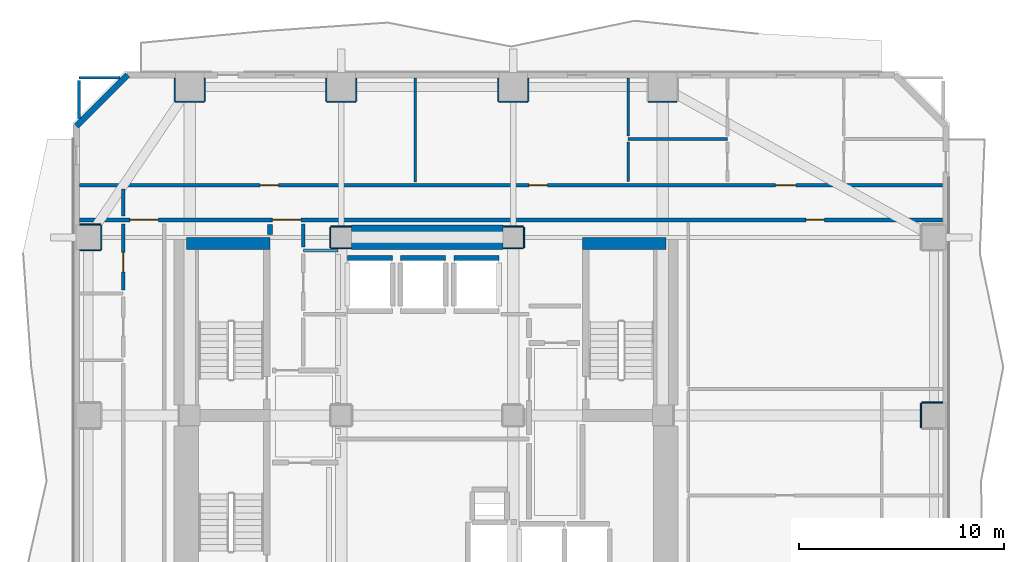
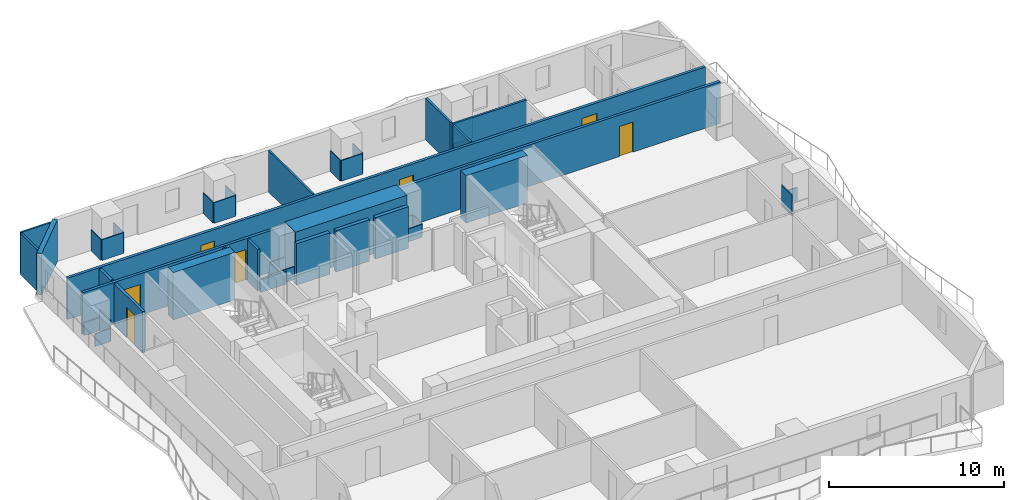
# One storey, part 5 of 9: 41 walls, 7 doors, 7 openings.
"""IFC4 building model written with IfcOpenShell, lengths in metres."""

import ifcopenshell
import ifcopenshell.guid

model = None  # the IFC model being written
_history = None  # IfcOwnerHistory: only IFC2X3 demands one
_inside = {}  # id of a spatial element -> (the spatial element, [elements in it])
_under = {}  # id of a project, library or spatial element -> (it, [spatial elements below it])
_declared = {}  # id of a project -> (the project, [libraries it declares])
_typed = {}  # id of a type object -> (the type object, [elements of that type])
_made_of = {}  # id of a material, layer set ... -> (it, [elements and type objects made of it])


def new_model(schema):
    """Start an empty IFC model of exactly this schema.

    Asked for "IFC4X3", IfcOpenShell would pick the latest addendum, in which some entities
    have other attributes; the version numbers below select the first issue.
    IFC2X3 requires an IfcOwnerHistory on every rooted entity: one is made here for all.
    """
    global model, _history
    if schema == "IFC4X3":
        model = ifcopenshell.file(schema_version=(4, 3, 0, 0))
    else:
        model = ifcopenshell.file(schema=schema)
    _inside.clear()
    _under.clear()
    _declared.clear()
    _typed.clear()
    _made_of.clear()
    _history = None
    if model.schema == "IFC2X3":
        org = make("IfcOrganization", Name="unknown")
        user = make(
            "IfcPersonAndOrganization",
            ThePerson=make("IfcPerson", FamilyName="unknown"),
            TheOrganization=org,
        )
        app = make(
            "IfcApplication",
            ApplicationDeveloper=org,
            Version="unknown",
            ApplicationFullName="unknown",
            ApplicationIdentifier="unknown",
        )
        _history = make(
            "IfcOwnerHistory",
            OwningUser=user,
            OwningApplication=app,
            ChangeAction="ADDED",
            CreationDate=0,
        )
    return model


def make(cls, **values):
    """One entity of the class cls with the attributes given. An attribute that is None is left unset."""
    return model.create_entity(
        cls, **{name: value for name, value in values.items() if value is not None}
    )


def rooted(cls, **values):
    """An entity with a GlobalId (a new one), such as an element, a storey or a relation."""
    return make(cls, GlobalId=ifcopenshell.guid.new(), OwnerHistory=_history, **values)


def si_unit(unit_type, name, prefix=None):
    """IfcSIUnit, for example si_unit("LENGTHUNIT", "METRE", prefix="MILLI")."""
    return make("IfcSIUnit", UnitType=unit_type, Prefix=prefix, Name=name)


def assignment(units):
    """IfcUnitAssignment: the units of a project."""
    return None if units is None else make("IfcUnitAssignment", Units=units)


def point(xyz):
    """IfcCartesianPoint."""
    return None if xyz is None else make("IfcCartesianPoint", Coordinates=xyz)


def direction(xyz):
    """IfcDirection."""
    return None if xyz is None else make("IfcDirection", DirectionRatios=xyz)


def frame(location, z_axis=None, x_axis=None):
    """IfcAxis2Placement3D, a coordinate frame: its origin and axes. An axis left out is left unset."""
    return make(
        "IfcAxis2Placement3D",
        Location=point(location),
        Axis=direction(z_axis),
        RefDirection=direction(x_axis),
    )


def frame_2d(location, x_axis=None):
    """IfcAxis2Placement2D, a coordinate frame in the plane: its origin and x axis."""
    return make(
        "IfcAxis2Placement2D", Location=point(location), RefDirection=direction(x_axis)
    )


def origin():
    """The frame at (0, 0, 0) with its axes left unset."""
    return frame((0.0, 0.0, 0.0))


def place(relative_to, where):
    """IfcLocalPlacement: puts the frame where relative to a parent placement (None: the world)."""
    return make(
        "IfcLocalPlacement", PlacementRelTo=relative_to, RelativePlacement=where
    )


def context(
    kind, dimensions, precision=None, world=None, true_north=None, identifier=None
):
    """IfcGeometricRepresentationContext, for example the 3D "Model" context."""
    return make(
        "IfcGeometricRepresentationContext",
        ContextIdentifier=identifier,
        ContextType=kind,
        CoordinateSpaceDimension=dimensions,
        Precision=precision,
        WorldCoordinateSystem=world,
        TrueNorth=true_north,
    )


def subcontext(parent, identifier, kind, view, scale=None):
    """IfcGeometricRepresentationSubContext, for example "Body" below "Model"."""
    return make(
        "IfcGeometricRepresentationSubContext",
        ContextIdentifier=identifier,
        ContextType=kind,
        ParentContext=parent,
        TargetScale=scale,
        TargetView=view,
    )


def project(units=None, contexts=None):
    """IfcProject with its units and contexts."""
    return rooted(
        "IfcProject",
        Name="project",
        RepresentationContexts=contexts,
        UnitsInContext=assignment(units),
    )


def spatial(cls, under=None, at=None, **own):
    """A site, building, storey or space (cls), placed at a placement, below another one or the project."""
    s = rooted(cls, ObjectPlacement=at, **own)
    if under is not None:
        _under.setdefault(under.id(), (under, []))[1].append(s)
    return s


def profile(cls, at=None, kind="AREA", **sizes):
    """A parametric profile (cls). Its sizes go by their IFC names, for example OverallWidth=200.0."""
    return make(cls, ProfileType=kind, Position=at, **sizes)


def rectangle(**sizes):
    """IfcRectangleProfileDef."""
    return profile("IfcRectangleProfileDef", **sizes)


def extrude(swept, where, along, depth):
    """IfcExtrudedAreaSolid: the profile swept, set in the frame where, extruded along a direction by depth."""
    return make(
        "IfcExtrudedAreaSolid",
        SweptArea=swept,
        Position=where,
        ExtrudedDirection=direction(along),
        Depth=depth,
    )


def shape(context_of_items, identifier, shape_type, items):
    """IfcShapeRepresentation: the items that make up one representation, for example the "Body"."""
    return make(
        "IfcShapeRepresentation",
        ContextOfItems=context_of_items,
        RepresentationIdentifier=identifier,
        RepresentationType=shape_type,
        Items=items,
    )


def material(Name=None, Category=None):
    """IfcMaterial."""
    return make("IfcMaterial", Name=Name, Category=Category)


def layer(
    of_material, thickness, ventilated=None, Name=None, Category=None, Priority=None
):
    """IfcMaterialLayer: one layer of a wall or slab, of a material (None: an air gap)."""
    return make(
        "IfcMaterialLayer",
        Material=of_material,
        LayerThickness=thickness,
        IsVentilated=ventilated,
        Name=Name,
        Category=Category,
        Priority=Priority,
    )


def layer_set(layers, Name=None):
    """IfcMaterialLayerSet."""
    return make("IfcMaterialLayerSet", MaterialLayers=layers, LayerSetName=Name)


def made_of(thing, what):
    """Note that an element or type object is made of a material, layer set ...; save() writes the relation."""
    if what is not None:
        _made_of.setdefault(what.id(), (what, []))[1].append(thing)
    return thing


def type_object(cls, material=None, **own):
    """A type object (cls), such as IfcWallType, which elements share."""
    return made_of(rooted(cls, **own), material)


def element(
    cls,
    number,
    at=None,
    inside=None,
    cuts=None,
    type_object=None,
    material=None,
    context=None,
    identifier="Body",
    shape_type=None,
    held_by="IfcProductDefinitionShape",
    body=None,
    shapes=None,
    **own,
):
    """One element of the class cls, such as IfcWall. Its Tag is "e" and its number.

    at: its placement. inside: the storey or other place that contains it. cuts: it is an
    opening in that element (IfcRelVoidsElement). A single representation is given by context,
    identifier, shape_type and body (its items); several are given by shapes. held_by: the class
    of the entity that holds the representations. save() writes the other relations.
    """
    e = rooted(cls, Tag="e%d" % number, ObjectPlacement=at, **own)
    if body is not None:
        shapes = [shape(context, identifier, shape_type, body)]
    if shapes is not None:
        e.Representation = make(held_by, Representations=shapes)
    if inside is not None:
        _inside.setdefault(inside.id(), (inside, []))[1].append(e)
    if cuts is not None:
        rooted(
            "IfcRelVoidsElement", RelatingBuildingElement=cuts, RelatedOpeningElement=e
        )
    if type_object is not None:
        _typed.setdefault(type_object.id(), (type_object, []))[1].append(e)
    return made_of(e, material)


def fill(opening, filler):
    """IfcRelFillsElement: the door or window that sits in an opening."""
    return rooted(
        "IfcRelFillsElement",
        RelatingOpeningElement=opening,
        RelatedBuildingElement=filler,
    )


def aggregate(whole, parts):
    """IfcRelAggregates: a whole, such as a stair, and the parts it consists of."""
    return rooted("IfcRelAggregates", RelatingObject=whole, RelatedObjects=parts)


def save(model, path):
    """Write the relations noted so far, then the file.

    IfcRelAggregates (storeys below a building ...), IfcRelContainedInSpatialStructure (elements
    in a storey), IfcRelDefinesByType, IfcRelAssociatesMaterial and IfcRelDeclares: one each for
    every whole, place, type object, material and project.
    """
    for whole, parts in _under.values():
        aggregate(whole, parts)
    for where, things in _inside.values():
        rooted(
            "IfcRelContainedInSpatialStructure",
            RelatedElements=things,
            RelatingStructure=where,
        )
    for kind, things in _typed.values():
        rooted("IfcRelDefinesByType", RelatedObjects=things, RelatingType=kind)
    for what, things in _made_of.values():
        rooted("IfcRelAssociatesMaterial", RelatedObjects=things, RelatingMaterial=what)
    for by, libraries in _declared.values():
        rooted("IfcRelDeclares", RelatingContext=by, RelatedDefinitions=libraries)
    model.write(path)


model = new_model("IFC4")

# Units and contexts
model_context = context("Model", 3, precision=1e-05, world=origin(), true_north=direction((0.0, 1.0)))
body_context = subcontext(model_context, "Body", "Model", "MODEL_VIEW")
ifc_project = project(units=[si_unit("LENGTHUNIT", "METRE"), si_unit("AREAUNIT", "SQUARE_METRE"), si_unit("VOLUMEUNIT", "CUBIC_METRE"), si_unit("PLANEANGLEUNIT", "RADIAN"), si_unit("MASSUNIT", "GRAM", prefix="KILO")], contexts=[model_context])

# Site, building, storey
site_placement = place(None, origin())
site = spatial("IfcSite", under=ifc_project, at=site_placement, CompositionType="ELEMENT")
building_placement = place(site_placement, origin())
building = spatial("IfcBuilding", under=site, at=building_placement, Name="Solanera Arch Residences", CompositionType="ELEMENT")
storey_placement = place(building_placement, frame((0.0, 0.0, 58.52001953125)))
storey = spatial("IfcBuildingStorey", under=building, at=storey_placement, Name="L16", CompositionType="ELEMENT", Elevation=58.52001953125)

# Walls
ifc_material_1 = material(Name="Fire-Rated Gypsum Stud Partition", Category="gypsum")
ifc_layer_1 = layer(ifc_material_1, 0.06005859375)
ifc_layer_set_1 = layer_set([ifc_layer_1], Name="Fire-Rated Gypsum Stud Partition")
wall_type_1 = type_object("IfcWallType", Name="Column Acoustic Furring Wall 60", PredefinedType="PARTITIONING", material=ifc_layer_set_1)
for number, where, z_axis, x_axis, name in (
    (1, (20.300048828125, 38.867919921875, 0.0), (0.0, 0.0, 1.0), (1.0, 0.0, 0.0), "L16 Column Furring 3S"),
    (2, (20.300048828125, 39.931884765625, 0.0), (0.0, 0.0, 1.0), (1.0, 0.0, 0.0), "L16 Column Furring 3N"),
):
    element("IfcWall", number, at=place(storey_placement, frame(where, z_axis=z_axis, x_axis=x_axis)), inside=storey, type_object=wall_type_1, Name=name, PredefinedType="PARTITIONING", context=body_context, shape_type="SweptSolid", body=[
        extrude(rectangle(XDim=0.989990234375, YDim=0.06005859375, at=frame_2d((0.4951171875, 0.0))), origin(), (0.0, 0.0, 1.0), 0.905029296875),
    ])
wall_1_placement = place(storey_placement, frame((20.26806640625, 38.89990234375, 0.0), z_axis=(0.0, 0.0, 1.0), x_axis=(0.0, 1.0, 0.0)))
element("IfcWall", 3, at=wall_1_placement, inside=storey, type_object=wall_type_1, Name="L16 Column Furring 3W", PredefinedType="PARTITIONING", context=body_context, shape_type="SweptSolid", body=[
    extrude(rectangle(XDim=1.0, YDim=0.06005859375, at=frame_2d((0.5, 0.0))), origin(), (0.0, 0.0, 1.0), 0.905029296875),
])
for number, where, z_axis, x_axis, name in (
    (4, (28.7099609375, 38.867919921875, 0.0), (0.0, 0.0, 1.0), (1.0, 0.0, 0.0), "L16 Column Furring 4S"),
    (5, (28.7099609375, 39.931884765625, 0.0), (0.0, 0.0, 1.0), (1.0, 0.0, 0.0), "L16 Column Furring 4N"),
):
    element("IfcWall", number, at=place(storey_placement, frame(where, z_axis=z_axis, x_axis=x_axis)), inside=storey, type_object=wall_type_1, Name=name, PredefinedType="PARTITIONING", context=body_context, shape_type="SweptSolid", body=[
        extrude(rectangle(XDim=0.989990234375, YDim=0.06005859375, at=frame_2d((0.4951171875, 0.0))), origin(), (0.0, 0.0, 1.0), 0.905029296875),
    ])
wall_2_placement = place(storey_placement, frame((29.73193359375, 38.89990234375, 0.0), z_axis=(0.0, 0.0, 1.0), x_axis=(0.0, 1.0, 0.0)))
element("IfcWall", 6, at=wall_2_placement, inside=storey, type_object=wall_type_1, Name="L16 Column Furring 4E", PredefinedType="PARTITIONING", context=body_context, shape_type="SweptSolid", body=[
    extrude(rectangle(XDim=1.0, YDim=0.06005859375, at=frame_2d((0.5, 0.0))), origin(), (0.0, 0.0, 1.0), 0.905029296875),
])
wall_3_placement = place(storey_placement, frame((12.699951171875, 46.01806640625, 0.0), z_axis=(0.0, 0.0, 1.0), x_axis=(1.0, 0.0, 0.0)))
element("IfcWall", 7, at=wall_3_placement, inside=storey, type_object=wall_type_1, Name="L16 Column Furring 10S", PredefinedType="PARTITIONING", context=body_context, shape_type="SweptSolid", body=[
    extrude(rectangle(XDim=1.400146484375, YDim=0.06005859375, at=frame_2d((0.7001953125, 0.0))), origin(), (0.0, 0.0, 1.0), 1.449951171875),
])
for number, where, z_axis, x_axis, name in (
    (8, (12.66796875, 46.050048828125, 0.0), (0.0, 0.0, 1.0), (0.0, 1.0, 0.0), "L16 Column Furring 10W"),
    (9, (14.132080078125, 46.050048828125, 0.0), (0.0, 0.0, 1.0), (0.0, 1.0, 0.0), "L16 Column Furring 10E"),
):
    element("IfcWall", number, at=place(storey_placement, frame(where, z_axis=z_axis, x_axis=x_axis)), inside=storey, type_object=wall_type_1, Name=name, PredefinedType="PARTITIONING", context=body_context, shape_type="SweptSolid", body=[
        extrude(rectangle(XDim=1.119873046875, YDim=0.06005859375, at=frame_2d((0.56005859375, 0.0))), origin(), (0.0, 0.0, 1.0), 1.449951171875),
    ])
wall_4_placement = place(storey_placement, frame((20.10009765625, 46.01806640625, 0.0), z_axis=(0.0, 0.0, 1.0), x_axis=(1.0, 0.0, 0.0)))
element("IfcWall", 10, at=wall_4_placement, inside=storey, type_object=wall_type_1, Name="L16 Column Furring 12S", PredefinedType="PARTITIONING", context=body_context, shape_type="SweptSolid", body=[
    extrude(rectangle(XDim=1.39990234375, YDim=0.06005859375, at=frame_2d((0.699951171875, 0.0))), origin(), (0.0, 0.0, 1.0), 1.449951171875),
])
for number, where, z_axis, x_axis, name in (
    (11, (20.068115234375, 46.050048828125, 0.0), (0.0, 0.0, 1.0), (0.0, 1.0, 0.0), "L16 Column Furring 12W"),
    (12, (21.531982421875, 46.050048828125, 0.0), (0.0, 0.0, 1.0), (0.0, 1.0, 0.0), "L16 Column Furring 12E"),
):
    element("IfcWall", number, at=place(storey_placement, frame(where, z_axis=z_axis, x_axis=x_axis)), inside=storey, type_object=wall_type_1, Name=name, PredefinedType="PARTITIONING", context=body_context, shape_type="SweptSolid", body=[
        extrude(rectangle(XDim=1.119873046875, YDim=0.06005859375, at=frame_2d((0.56005859375, 0.0))), origin(), (0.0, 0.0, 1.0), 1.449951171875),
    ])
wall_5_placement = place(storey_placement, frame((28.5, 46.01806640625, 0.0), z_axis=(0.0, 0.0, 1.0), x_axis=(1.0, 0.0, 0.0)))
element("IfcWall", 13, at=wall_5_placement, inside=storey, type_object=wall_type_1, Name="L16 Column Furring 14S", PredefinedType="PARTITIONING", context=body_context, shape_type="SweptSolid", body=[
    extrude(rectangle(XDim=1.39990234375, YDim=0.06005859375, at=frame_2d((0.699951171875, 0.0))), origin(), (0.0, 0.0, 1.0), 1.449951171875),
])
for number, where, z_axis, x_axis, name in (
    (14, (28.468017578125, 46.050048828125, 0.0), (0.0, 0.0, 1.0), (0.0, 1.0, 0.0), "L16 Column Furring 14W"),
    (15, (29.931884765625, 46.050048828125, 0.0), (0.0, 0.0, 1.0), (0.0, 1.0, 0.0), "L16 Column Furring 14E"),
):
    element("IfcWall", number, at=place(storey_placement, frame(where, z_axis=z_axis, x_axis=x_axis)), inside=storey, type_object=wall_type_1, Name=name, PredefinedType="PARTITIONING", context=body_context, shape_type="SweptSolid", body=[
        extrude(rectangle(XDim=1.119873046875, YDim=0.06005859375, at=frame_2d((0.56005859375, 0.0))), origin(), (0.0, 0.0, 1.0), 1.449951171875),
    ])
wall_6_placement = place(storey_placement, frame((35.800048828125, 46.01806640625, 0.0), z_axis=(0.0, 0.0, 1.0), x_axis=(1.0, 0.0, 0.0)))
element("IfcWall", 16, at=wall_6_placement, inside=storey, type_object=wall_type_1, Name="L16 Column Furring 16S", PredefinedType="PARTITIONING", context=body_context, shape_type="SweptSolid", body=[
    extrude(rectangle(XDim=1.39990234375, YDim=0.06005859375, at=frame_2d((0.699951171875, 0.0))), origin(), (0.0, 0.0, 1.0), 1.449951171875),
])
wall_7_placement = place(storey_placement, frame((49.14990234375, 31.33203125, 0.0), z_axis=(0.0, 0.0, 1.0), x_axis=(1.0, 0.0, 0.0)))
element("IfcWall", 17, at=wall_7_placement, inside=storey, type_object=wall_type_1, Name="L16 Column Furring 20N", PredefinedType="PARTITIONING", context=body_context, shape_type="SweptSolid", body=[
    extrude(rectangle(XDim=1.02001953125, YDim=0.06005859375, at=frame_2d((0.510009765625, 0.0))), origin(), (0.0, 0.0, 1.0), 0.905029296875),
])
wall_8_placement = place(storey_placement, frame((49.117919921875, 30.10009765625, 0.0), z_axis=(0.0, 0.0, 1.0), x_axis=(0.0, 1.0, 0.0)))
element("IfcWall", 18, at=wall_8_placement, inside=storey, type_object=wall_type_1, Name="L16 Column Furring 20W", PredefinedType="PARTITIONING", context=body_context, shape_type="SweptSolid", body=[
    extrude(rectangle(XDim=1.199951171875, YDim=0.06005859375, at=frame_2d((0.60009765625, 0.0))), origin(), (0.0, 0.0, 1.0), 1.449951171875),
])
for number, where, z_axis, x_axis, name in (
    (19, (8.030029296875, 38.76806640625, 0.0), (0.0, 0.0, 1.0), (1.0, 0.0, 0.0), "L16 Column Furring 21S"),
    (20, (8.030029296875, 40.031982421875, 0.0), (0.0, 0.0, 1.0), (1.0, 0.0, 0.0), "L16 Column Furring 21N"),
):
    element("IfcWall", number, at=place(storey_placement, frame(where, z_axis=z_axis, x_axis=x_axis)), inside=storey, type_object=wall_type_1, Name=name, PredefinedType="PARTITIONING", context=body_context, shape_type="SweptSolid", body=[
        extrude(rectangle(XDim=1.02001953125, YDim=0.06005859375, at=frame_2d((0.510009765625, 0.0))), origin(), (0.0, 0.0, 1.0), 0.905029296875),
    ])
wall_9_placement = place(storey_placement, frame((9.08203125, 38.800048828125, 0.0), z_axis=(0.0, 0.0, 1.0), x_axis=(0.0, 1.0, 0.0)))
element("IfcWall", 21, at=wall_9_placement, inside=storey, type_object=wall_type_1, Name="L16 Column Furring 21E", PredefinedType="PARTITIONING", context=body_context, shape_type="SweptSolid", body=[
    extrude(rectangle(XDim=1.199951171875, YDim=0.06005859375, at=frame_2d((0.60009765625, 0.0))), origin(), (0.0, 0.0, 1.0), 1.449951171875),
])
ifc_material_2 = material(Name="Concrete C55/67 (f'c = 60 MPa)", Category="concrete")
ifc_layer_2 = layer(ifc_material_2, 1.199951171875)
ifc_layer_set_2 = layer_set([ifc_layer_2], Name="Concrete C55/67 (f'c = 60 MPa)")
wall_type_2 = type_object("IfcWallType", Name="Core Shear Wall CW-1200", PredefinedType="SHEAR", material=ifc_layer_set_2)
wall_10_placement = place(storey_placement, frame((21.304931640625, 39.39990234375, 0.0), z_axis=(0.0, 0.0, 1.0), x_axis=(1.0, 0.0, 0.0)))
element("IfcWall", 22, at=wall_10_placement, inside=storey, type_object=wall_type_2, Name="L16 Central North Core Shear Wall", PredefinedType="SHEAR", context=body_context, shape_type="SweptSolid", body=[
    extrude(rectangle(XDim=7.39013671875, YDim=1.199951171875, at=frame_2d((3.695068359375, 0.0))), origin(), (0.0, 0.0, 1.0), 3.320068359375),
])
ifc_material_3 = material(Name="Concrete C40/50 (f'c = 45 MPa)", Category="concrete")
ifc_layer_3 = layer(ifc_material_3, 0.60009765625)
ifc_layer_set_3 = layer_set([ifc_layer_3], Name="Concrete C40/50 (f'c = 45 MPa)")
wall_type_3 = type_object("IfcWallType", Name="Core Shear Wall CW-600", PredefinedType="SHEAR", material=ifc_layer_set_3)
wall_11_placement = place(storey_placement, frame((13.239990234375, 39.10009765625, 0.0), z_axis=(0.0, 0.0, 1.0), x_axis=(1.0, 0.0, 0.0)))
element("IfcWall", 23, at=wall_11_placement, inside=storey, type_object=wall_type_3, Name="L16 North-West Core Shear Wall", PredefinedType="SHEAR", context=body_context, shape_type="SweptSolid", body=[
    extrude(rectangle(XDim=4.080078125, YDim=0.60009765625, at=frame_2d((2.0400390625, 0.0))), origin(), (0.0, 0.0, 1.0), 3.320068359375),
])
wall_12_placement = place(storey_placement, frame((32.580078125, 39.10009765625, 0.0), z_axis=(0.0, 0.0, 1.0), x_axis=(1.0, 0.0, 0.0)))
element("IfcWall", 24, at=wall_12_placement, inside=storey, type_object=wall_type_3, Name="L16 North-East Core Shear Wall", PredefinedType="SHEAR", context=body_context, shape_type="SweptSolid", body=[
    extrude(rectangle(XDim=4.079833984375, YDim=0.60009765625, at=frame_2d((2.0400390625, 0.0))), origin(), (0.0, 0.0, 1.0), 3.320068359375),
])

# Wall, openings, doors
ifc_material_4 = material(Name="Autoclaved Aerated Concrete Blockwork", Category="masonry")
ifc_layer_4 = layer(ifc_material_4, 0.179931640625)
ifc_layer_set_4 = layer_set([ifc_layer_4], Name="Autoclaved Aerated Concrete Blockwork")
wall_type_4 = type_object("IfcWallType", Name="Corridor Fire Partition 180", PredefinedType="PARTITIONING", material=ifc_layer_set_4)
wall_13_placement = place(storey_placement, frame((8.027099609375, 40.25, 0.0), z_axis=(0.0, 0.0, 1.0), x_axis=(1.0, 0.0, 0.0)))
wall_13 = element("IfcWall", 25, at=wall_13_placement, inside=storey, type_object=wall_type_4, Name="L16 Interior Partition H10", PredefinedType="PARTITIONING", context=body_context, shape_type="SweptSolid", body=[
    extrude(rectangle(XDim=42.14599609375, YDim=0.179931640625, at=frame_2d((21.072998046875, 0.0))), origin(), (0.0, 0.0, 1.0), 2.89990234375),
])
opening_1_placement = place(wall_13_placement, frame((9.407958984375, 0.0, 0.0)))
opening_1 = element("IfcOpeningElement", 26, at=opening_1_placement, cuts=wall_13, Name="Opening DF-03", PredefinedType="OPENING", context=body_context, shape_type="SweptSolid", body=[
    extrude(rectangle(XDim=1.39990234375, YDim=2.14990234375, at=frame_2d((0.699951171875, 1.074951171875))), frame((0.0, 0.10009765625, 0.0), z_axis=(0.0, -1.0, 0.0), x_axis=(1.0, 0.0, 0.0)), (0.0, 0.0, 1.0), 0.1999),
])
opening_2_placement = place(wall_13_placement, frame((2.447021484375, 0.0, 0.0)))
opening_2 = element("IfcOpeningElement", 27, at=opening_2_placement, cuts=wall_13, Name="Opening DF-03", PredefinedType="OPENING", context=body_context, shape_type="SweptSolid", body=[
    extrude(rectangle(XDim=1.39990234375, YDim=2.14990234375, at=frame_2d((0.699951171875, 1.074951171875))), frame((0.0, 0.10009765625, 0.0), z_axis=(0.0, -1.0, 0.0), x_axis=(1.0, 0.0, 0.0)), (0.0, 0.0, 1.0), 0.1999),
])
opening_3_placement = place(wall_13_placement, frame((35.47412109375, 0.0, 0.0)))
opening_3 = element("IfcOpeningElement", 28, at=opening_3_placement, cuts=wall_13, Name="Opening DI-02", PredefinedType="OPENING", context=body_context, shape_type="SweptSolid", body=[
    extrude(rectangle(XDim=0.89990234375, YDim=2.10009765625, at=frame_2d((0.449951171875, 1.050048828125))), frame((0.0, 0.10009765625, 0.0), z_axis=(0.0, -1.0, 0.0), x_axis=(1.0, 0.0, 0.0)), (0.0, 0.0, 1.0), 0.1999),
])
ifc_material_5 = material(Name="Fire-Rated Architectural Hardwood", Category="wood")
door_type_1 = type_object("IfcDoorType", Name="Corridor Smoke Door DF-03", OperationType="NOTDEFINED", PredefinedType="DOOR", material=ifc_material_5)
door_1_placement = place(opening_1_placement, origin())
door_1 = element("IfcDoor", 29, at=door_1_placement, inside=storey, type_object=door_type_1, Name="DR-L16-IN-009", OperationType="SINGLE_SWING_RIGHT", OverallHeight=2.14990234375, OverallWidth=1.39990234375, PredefinedType="DOOR", context=body_context, shape_type="SweptSolid", body=[
    extrude(rectangle(XDim=1.39990234375, YDim=2.14990234375, at=frame_2d((0.699951171875, 1.074951171875))), frame((0.0, 0.02490234375, 0.0), z_axis=(0.0, -1.0, 0.0), x_axis=(1.0, 0.0, 0.0)), (0.0, 0.0, 1.0), 0.050048828125),
])
fill(opening_1, door_1)
door_2_placement = place(opening_2_placement, origin())
door_2 = element("IfcDoor", 30, at=door_2_placement, inside=storey, type_object=door_type_1, Name="DR-L16-IN-011", OperationType="SINGLE_SWING_RIGHT", OverallHeight=2.14990234375, OverallWidth=1.39990234375, PredefinedType="DOOR", context=body_context, shape_type="SweptSolid", body=[
    extrude(rectangle(XDim=1.39990234375, YDim=2.14990234375, at=frame_2d((0.699951171875, 1.074951171875))), frame((0.0, 0.02490234375, 0.0), z_axis=(0.0, -1.0, 0.0), x_axis=(1.0, 0.0, 0.0)), (0.0, 0.0, 1.0), 0.050048828125),
])
fill(opening_2, door_2)
ifc_material_6 = material(Name="Fire-Rated Architectural Hardwood", Category="wood")
door_type_2 = type_object("IfcDoorType", Name="Suite Room Swing Door DI-02", OperationType="NOTDEFINED", PredefinedType="DOOR", material=ifc_material_6)
door_3_placement = place(opening_3_placement, origin())
door_3 = element("IfcDoor", 31, at=door_3_placement, inside=storey, type_object=door_type_2, Name="DR-L16-IN-035", OperationType="SINGLE_SWING_RIGHT", OverallHeight=2.10009765625, OverallWidth=0.89990234375, PredefinedType="DOOR", context=body_context, shape_type="SweptSolid", body=[
    extrude(rectangle(XDim=0.89990234375, YDim=2.10009765625, at=frame_2d((0.449951171875, 1.050048828125))), frame((0.0, 0.02490234375, 0.0), z_axis=(0.0, -1.0, 0.0), x_axis=(1.0, 0.0, 0.0)), (0.0, 0.0, 1.0), 0.050048828125),
])
fill(opening_3, door_3)

wall_14_placement = place(storey_placement, frame((8.027099609375, 41.949951171875, 0.0), z_axis=(0.0, 0.0, 1.0), x_axis=(1.0, 0.0, 0.0)))
wall_14 = element("IfcWall", 32, at=wall_14_placement, inside=storey, type_object=wall_type_4, Name="L16 Interior Partition H11", PredefinedType="PARTITIONING", context=body_context, shape_type="SweptSolid", body=[
    extrude(rectangle(XDim=42.14599609375, YDim=0.179931640625, at=frame_2d((21.072998046875, 0.0))), origin(), (0.0, 0.0, 1.0), 2.89990234375),
])
opening_4_placement = place(wall_14_placement, frame((8.81494140625, 0.0, 0.0)))
opening_4 = element("IfcOpeningElement", 33, at=opening_4_placement, cuts=wall_14, Name="Opening DI-02", PredefinedType="OPENING", context=body_context, shape_type="SweptSolid", body=[
    extrude(rectangle(XDim=0.89990234375, YDim=2.10009765625, at=frame_2d((0.449951171875, 1.050048828125))), frame((0.0, 0.10009765625, 0.0), z_axis=(0.0, -1.0, 0.0), x_axis=(1.0, 0.0, 0.0)), (0.0, 0.0, 1.0), 0.1999),
])
opening_5_placement = place(wall_14_placement, frame((21.93994140625, 0.0, 0.0)))
opening_5 = element("IfcOpeningElement", 34, at=opening_5_placement, cuts=wall_14, Name="Opening DI-02", PredefinedType="OPENING", context=body_context, shape_type="SweptSolid", body=[
    extrude(rectangle(XDim=0.89990234375, YDim=2.10009765625, at=frame_2d((0.449951171875, 1.050048828125))), frame((0.0, 0.10009765625, 0.0), z_axis=(0.0, -1.0, 0.0), x_axis=(1.0, 0.0, 0.0)), (0.0, 0.0, 1.0), 0.1999),
])
opening_6_placement = place(wall_14_placement, frame((33.98291015625, 0.0, 0.0)))
opening_6 = element("IfcOpeningElement", 35, at=opening_6_placement, cuts=wall_14, Name="Opening DI-01", PredefinedType="OPENING", context=body_context, shape_type="SweptSolid", body=[
    extrude(rectangle(XDim=1.0, YDim=2.14990234375, at=frame_2d((0.5, 1.074951171875))), frame((0.0, 0.10009765625, 0.0), z_axis=(0.0, -1.0, 0.0), x_axis=(1.0, 0.0, 0.0)), (0.0, 0.0, 1.0), 0.1999),
])
door_4_placement = place(opening_4_placement, origin())
door_4 = element("IfcDoor", 36, at=door_4_placement, inside=storey, type_object=door_type_2, Name="DR-L16-IN-022", OperationType="SINGLE_SWING_LEFT", OverallHeight=2.10009765625, OverallWidth=0.89990234375, PredefinedType="DOOR", context=body_context, shape_type="SweptSolid", body=[
    extrude(rectangle(XDim=0.89990234375, YDim=2.10009765625, at=frame_2d((0.449951171875, 1.050048828125))), frame((0.0, 0.02490234375, 0.0), z_axis=(0.0, -1.0, 0.0), x_axis=(1.0, 0.0, 0.0)), (0.0, 0.0, 1.0), 0.050048828125),
])
fill(opening_4, door_4)
door_5_placement = place(opening_5_placement, origin())
door_5 = element("IfcDoor", 37, at=door_5_placement, inside=storey, type_object=door_type_2, Name="DR-L16-IN-023", OperationType="SINGLE_SWING_RIGHT", OverallHeight=2.10009765625, OverallWidth=0.89990234375, PredefinedType="DOOR", context=body_context, shape_type="SweptSolid", body=[
    extrude(rectangle(XDim=0.89990234375, YDim=2.10009765625, at=frame_2d((0.449951171875, 1.050048828125))), frame((0.0, 0.02490234375, 0.0), z_axis=(0.0, -1.0, 0.0), x_axis=(1.0, 0.0, 0.0)), (0.0, 0.0, 1.0), 0.050048828125),
])
fill(opening_5, door_5)
ifc_material_7 = material(Name="Fire-Rated Architectural Hardwood", Category="wood")
door_type_3 = type_object("IfcDoorType", Name="Unit Entrance Fire Door DI-01", OperationType="NOTDEFINED", PredefinedType="DOOR", material=ifc_material_7)
door_6_placement = place(opening_6_placement, origin())
door_6 = element("IfcDoor", 38, at=door_6_placement, inside=storey, type_object=door_type_3, Name="DR-L16-IN-024", OperationType="SINGLE_SWING_LEFT", OverallHeight=2.14990234375, OverallWidth=1.0, PredefinedType="DOOR", context=body_context, shape_type="SweptSolid", body=[
    extrude(rectangle(XDim=1.0, YDim=2.14990234375, at=frame_2d((0.5, 1.074951171875))), frame((0.0, 0.02490234375, 0.0), z_axis=(0.0, -1.0, 0.0), x_axis=(1.0, 0.0, 0.0)), (0.0, 0.0, 1.0), 0.050048828125),
])
fill(opening_6, door_6)

# Wall, opening, door
wall_15_placement = place(storey_placement, frame((10.14990234375, 36.818115234375, 0.0), z_axis=(0.0, 0.0, 1.0), x_axis=(0.0, 1.0, 0.0)))
wall_15 = element("IfcWall", 39, at=wall_15_placement, inside=storey, type_object=wall_type_4, Name="L16 Interior Partition V6 4", PredefinedType="PARTITIONING", context=body_context, shape_type="SweptSolid", body=[
    extrude(rectangle(XDim=3.243896484375, YDim=0.179931640625, at=frame_2d((1.6220703125, 0.0))), origin(), (0.0, 0.0, 1.0), 2.89990234375),
])
opening_7_placement = place(wall_15_placement, frame((0.89306640625, 0.0, 0.0)))
opening_7 = element("IfcOpeningElement", 40, at=opening_7_placement, cuts=wall_15, Name="Opening DI-04", PredefinedType="OPENING", context=body_context, shape_type="SweptSolid", body=[
    extrude(rectangle(XDim=0.949951171875, YDim=2.10009765625, at=frame_2d((0.47509765625, 1.050048828125))), frame((0.0, 0.10009765625, 0.0), z_axis=(0.0, -1.0, 0.0), x_axis=(1.0, 0.0, 0.0)), (0.0, 0.0, 1.0), 0.1999),
])
ifc_material_8 = material(Name="Fire-Rated Architectural Hardwood", Category="wood")
door_type_4 = type_object("IfcDoorType", Name="Accessible Restroom Door DI-04", OperationType="NOTDEFINED", PredefinedType="DOOR", material=ifc_material_8)
door_7_placement = place(opening_7_placement, origin())
door_7 = element("IfcDoor", 41, at=door_7_placement, inside=storey, type_object=door_type_4, Name="DR-L16-IN-030", OperationType="SINGLE_SWING_LEFT", OverallHeight=2.10009765625, OverallWidth=0.949951171875, PredefinedType="DOOR", context=body_context, shape_type="SweptSolid", body=[
    extrude(rectangle(XDim=0.949951171875, YDim=2.10009765625, at=frame_2d((0.47509765625, 1.050048828125))), frame((0.0, 0.02490234375, 0.0), z_axis=(0.0, -1.0, 0.0), x_axis=(1.0, 0.0, 0.0)), (0.0, 0.0, 1.0), 0.050048828125),
])
fill(opening_7, door_7)

# Walls
wall_16_placement = place(storey_placement, frame((10.14990234375, 40.43798828125, 0.0), z_axis=(0.0, 0.0, 1.0), x_axis=(0.0, 1.0, 0.0)))
element("IfcWall", 42, at=wall_16_placement, inside=storey, type_object=wall_type_4, Name="L16 Interior Partition V6 5", PredefinedType="PARTITIONING", context=body_context, shape_type="SweptSolid", body=[
    extrude(rectangle(XDim=1.323974609375, YDim=0.179931640625, at=frame_2d((0.662109375, 0.0))), origin(), (0.0, 0.0, 1.0), 2.89990234375),
])
wall_17_placement = place(storey_placement, frame((18.949951171875, 38.91796875, 0.0), z_axis=(0.0, 0.0, 1.0), x_axis=(0.0, 1.0, 0.0)))
element("IfcWall", 43, at=wall_17_placement, inside=storey, type_object=wall_type_4, Name="L16 Interior Partition V9 3", PredefinedType="PARTITIONING", context=body_context, shape_type="SweptSolid", body=[
    extrude(rectangle(XDim=1.14404296875, YDim=0.179931640625, at=frame_2d((0.572021484375, 0.0))), origin(), (0.0, 0.0, 1.0), 2.89990234375),
])
ifc_material_9 = material(Name="Precast Concrete C35/45", Category="concrete")
ifc_layer_5 = layer(ifc_material_9, 0.300048828125)
ifc_layer_set_5 = layer_set([ifc_layer_5], Name="Precast Concrete C35/45")
wall_type_5 = type_object("IfcWallType", Name="Exterior Wall Precast Masonry-Frame 300", PredefinedType="STANDARD", material=ifc_layer_set_5)
wall_18_placement = place(storey_placement, frame((7.864990234375, 44.8349609375, 0.0), z_axis=(0.0, 0.0, 1.0), x_axis=(0.707106781187, 0.707106781187, 0.0)))
element("IfcWall", 44, at=wall_18_placement, inside=storey, type_object=wall_type_5, Name="L16 Tower Exterior Precast Masonry-Frame Wall CH1", PredefinedType="STANDARD", context=body_context, shape_type="SweptSolid", body=[
    extrude(rectangle(XDim=3.53564453125, YDim=0.300048828125, at=frame_2d((1.767822265625, 0.0))), origin(), (0.0, 0.0, 1.0), 2.89990234375),
])
ifc_material_10 = material(Name="Autoclaved Aerated Concrete Blockwork", Category="masonry")
ifc_layer_6 = layer(ifc_material_10, 0.239990234375)
ifc_layer_set_6 = layer_set([ifc_layer_6], Name="Autoclaved Aerated Concrete Blockwork")
wall_type_6 = type_object("IfcWallType", Name="Shaft Wall Fire-Rated 240", PredefinedType="PARTITIONING", material=ifc_layer_set_6)
for number, where, z_axis, x_axis, name in (
    (45, (21.10009765625, 38.39990234375, 0.0), (0.0, 0.0, 1.0), (1.0, 0.0, 0.0), "L16 Lift PL-L1 Hoistway Wall N"),
    (46, (23.699951171875, 38.39990234375, 0.0), (0.0, 0.0, 1.0), (1.0, 0.0, 0.0), "L16 Lift PL-L2 Hoistway Wall N"),
    (47, (26.300048828125, 38.39990234375, 0.0), (0.0, 0.0, 1.0), (1.0, 0.0, 0.0), "L16 Lift PL-L3 Hoistway Wall N"),
):
    element("IfcWall", number, at=place(storey_placement, frame(where, z_axis=z_axis, x_axis=x_axis)), inside=storey, type_object=wall_type_6, Name=name, PredefinedType="PARTITIONING", context=body_context, shape_type="SweptSolid", body=[
        extrude(rectangle(XDim=2.199951171875, YDim=0.239990234375, at=frame_2d((1.10009765625, 0.0))), origin(), (0.0, 0.0, 1.0), 2.89990234375),
    ])
wall_19_placement = place(storey_placement, frame((17.320068359375, 39.530029296875, 0.0), z_axis=(0.0, 0.0, 1.0), x_axis=(0.0, 1.0, 0.0)))
element("IfcWall", 48, at=wall_19_placement, inside=storey, type_object=wall_type_6, Name="L16 Interior Partition V1", PredefinedType="PARTITIONING", context=body_context, shape_type="SweptSolid", body=[
    extrude(rectangle(XDim=0.501953125, YDim=0.239990234375, at=frame_2d((0.2509765625, 0.0))), origin(), (0.0, 0.0, 1.0), 2.89990234375),
])
ifc_material_11 = material(Name="Fire-Rated Gypsum Stud Partition", Category="gypsum")
ifc_layer_7 = layer(ifc_material_11, 0.1201171875)
ifc_layer_set_7 = layer_set([ifc_layer_7], Name="Fire-Rated Gypsum Stud Partition")
wall_type_7 = type_object("IfcWallType", Name="Unit Drywall Partition 120", PredefinedType="PARTITIONING", material=ifc_layer_set_7)
wall_20_placement = place(storey_placement, frame((8.0, 47.199951171875, 0.0), z_axis=(0.0, 0.0, 1.0), x_axis=(1.0, 0.0, 0.0)))
element("IfcWall", 49, at=wall_20_placement, inside=storey, type_object=wall_type_7, Name="L16 Interior Partition H21 1", PredefinedType="PARTITIONING", context=body_context, shape_type="SweptSolid", body=[
    extrude(rectangle(XDim=2.0009765625, YDim=0.1201171875, at=frame_2d((1.00048828125, 0.0))), origin(), (0.0, 0.0, 1.0), 2.89990234375),
])
wall_21_placement = place(storey_placement, frame((24.4140625, 42.10791015625, 0.0), z_axis=(0.0, 0.0, 1.0), x_axis=(0.0, 1.0, 0.0)))
element("IfcWall", 50, at=wall_21_placement, inside=storey, type_object=wall_type_7, Name="L16 Interior Partition V18", PredefinedType="PARTITIONING", context=body_context, shape_type="SweptSolid", body=[
    extrude(rectangle(XDim=5.065185546875, YDim=0.1201171875, at=frame_2d((2.53271484375, 0.0))), origin(), (0.0, 0.0, 1.0), 2.89990234375),
])
ifc_material_12 = material(Name="Autoclaved Aerated Concrete Blockwork", Category="masonry")
ifc_layer_8 = layer(ifc_material_12, 0.139892578125)
ifc_layer_set_8 = layer_set([ifc_layer_8], Name="Autoclaved Aerated Concrete Blockwork")
wall_type_8 = type_object("IfcWallType", Name="Wet-Room Partition 140", PredefinedType="PARTITIONING", material=ifc_layer_set_8)
wall_22_placement = place(storey_placement, frame((18.949951171875, 38.75, 0.0), z_axis=(0.0, 0.0, 1.0), x_axis=(1.0, 0.0, 0.0)))
element("IfcWall", 51, at=wall_22_placement, inside=storey, type_object=wall_type_8, Name="L16 Interior Partition H16", PredefinedType="PARTITIONING", context=body_context, shape_type="SweptSolid", body=[
    extrude(rectangle(XDim=1.699951171875, YDim=0.139892578125, at=frame_2d((0.85009765625, 0.0))), origin(), (0.0, 0.0, 1.0), 0.905029296875),
])
wall_23_placement = place(storey_placement, frame((34.820068359375, 44.2080078125, 0.0), z_axis=(0.0, 0.0, 1.0), x_axis=(1.0, 0.0, 0.0)))
element("IfcWall", 52, at=wall_23_placement, inside=storey, type_object=wall_type_8, Name="L16 Interior Partition H17", PredefinedType="PARTITIONING", context=body_context, shape_type="SweptSolid", body=[
    extrude(rectangle(XDim=4.845947265625, YDim=0.139892578125, at=frame_2d((2.4228515625, 0.0))), origin(), (0.0, 0.0, 1.0), 2.89990234375),
])
wall_24_placement = place(storey_placement, frame((8.0, 45.198974609375, 0.0), z_axis=(0.0, 0.0, 1.0), x_axis=(0.0, 1.0, 0.0)))
element("IfcWall", 53, at=wall_24_placement, inside=storey, type_object=wall_type_8, Name="L16 Interior Partition V13", PredefinedType="PARTITIONING", context=body_context, shape_type="SweptSolid", body=[
    extrude(rectangle(XDim=1.863037109375, YDim=0.139892578125, at=frame_2d((0.931640625, 0.0))), origin(), (0.0, 0.0, 1.0), 2.89990234375),
])
wall_25_placement = place(storey_placement, frame((34.820068359375, 42.117919921875, 0.0), z_axis=(0.0, 0.0, 1.0), x_axis=(0.0, 1.0, 0.0)))
element("IfcWall", 54, at=wall_25_placement, inside=storey, type_object=wall_type_8, Name="L16 Interior Partition V15 1", PredefinedType="PARTITIONING", context=body_context, shape_type="SweptSolid", body=[
    extrude(rectangle(XDim=1.942138671875, YDim=0.139892578125, at=frame_2d((0.97119140625, 0.0))), origin(), (0.0, 0.0, 1.0), 2.89990234375),
])
wall_26_placement = place(storey_placement, frame((34.820068359375, 44.35595703125, 0.0), z_axis=(0.0, 0.0, 1.0), x_axis=(0.0, 1.0, 0.0)))
element("IfcWall", 55, at=wall_26_placement, inside=storey, type_object=wall_type_8, Name="L16 Interior Partition V15 2", PredefinedType="PARTITIONING", context=body_context, shape_type="SweptSolid", body=[
    extrude(rectangle(XDim=2.817138671875, YDim=0.139892578125, at=frame_2d((1.40869140625, 0.0))), origin(), (0.0, 0.0, 1.0), 2.89990234375),
])

save(model, "model.ifc")
